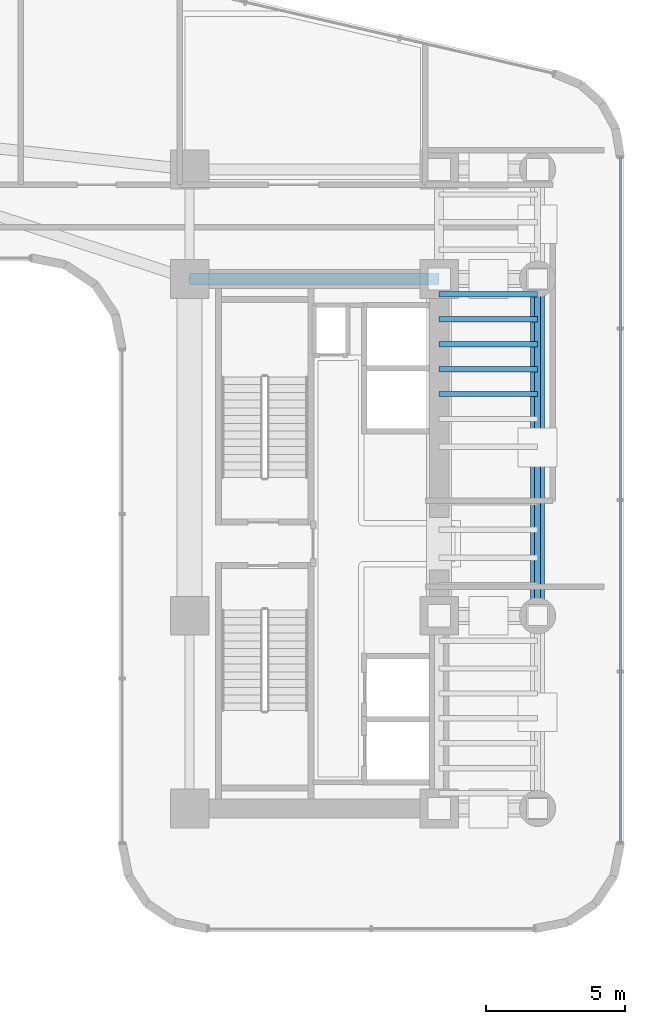
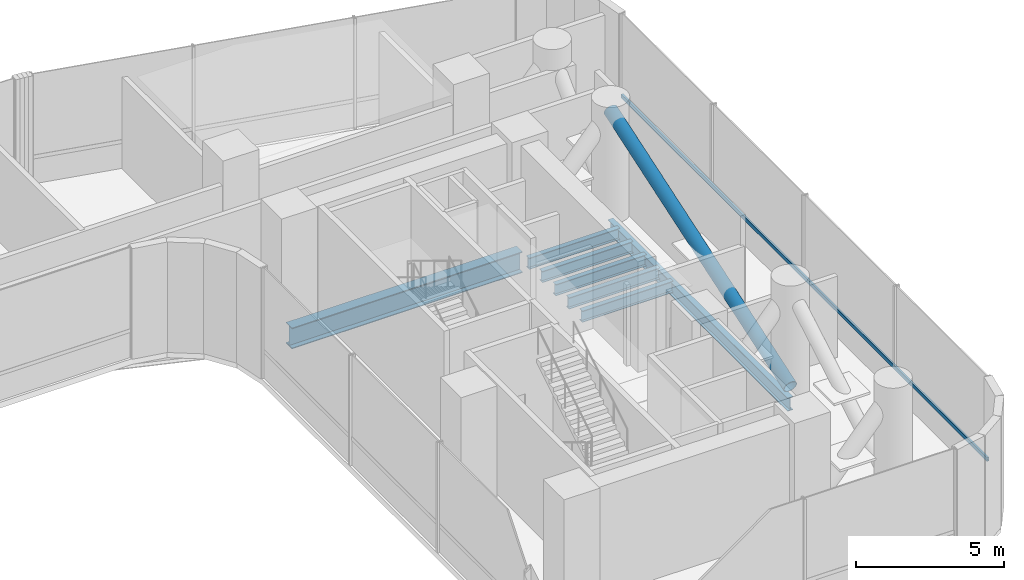
# One storey, part 20 of 39: 7 beams, 2 members, 1 element without a shape of its own.
"""IFC4 building model written with IfcOpenShell, lengths in metres."""

from ifc_helpers import new_model, si_unit, direction, frame, origin, origin_2d, place, context, subcontext, project, spatial, hollow_rectangle, hollow_circle, i_section, extrude, source, transform, mapped, material, material_profile, profile_set, type_object, element, aggregate, save


model = new_model("IFC4")

# Units and contexts
model_context = context("Model", 3, precision=1e-05, world=origin(), true_north=direction((0.0, 1.0)))
body_context = subcontext(model_context, "Body", "Model", "MODEL_VIEW")
ifc_project = project(units=[si_unit("LENGTHUNIT", "METRE"), si_unit("AREAUNIT", "SQUARE_METRE"), si_unit("VOLUMEUNIT", "CUBIC_METRE"), si_unit("PLANEANGLEUNIT", "RADIAN"), si_unit("MASSUNIT", "GRAM", prefix="KILO")], contexts=[model_context])

# Site, building, storey
site_placement = place(None, origin())
site = spatial("IfcSite", under=ifc_project, at=site_placement, CompositionType="ELEMENT")
building_placement = place(site_placement, origin())
building = spatial("IfcBuilding", under=site, at=building_placement, Name="Valdorenza Pilgrim Sanctuary Tower", CompositionType="ELEMENT")
storey_placement = place(building_placement, frame((0.0, 0.0, 96.300048828125)))
storey = spatial("IfcBuildingStorey", under=building, at=storey_placement, Name="L24", CompositionType="ELEMENT", Elevation=96.300048828125)

# Beams
ifc_material_1 = material(Name="Steel ASTM A992 Grade 50", Category="steel")
ifc_material_profile_1 = material_profile(ifc_material_1, i_section(OverallWidth=0.214111328125, OverallDepth=0.549072265625, WebThickness=0.0146484375, FlangeThickness=0.023681640625, at=origin_2d()), Name="W21X93")
ifc_profile_set_1 = profile_set([ifc_material_profile_1], Name="Steel ASTM A992 Grade 50")
beam_type_1 = type_object("IfcBeamType", Name="STR-BM-SPN-W21A", PredefinedType="SPANDREL", material=ifc_profile_set_1)
shared_shape_1 = source(origin(), body_context, "Body", "SweptSolid", [
    extrude(i_section(OverallWidth=0.214111328125, OverallDepth=0.549072265625, WebThickness=0.0146484375, FlangeThickness=0.023681640625, at=origin_2d()), origin(), (0.0, 0.0, 1.0), 12.150146484375),
])
beam_1_placement = place(storey_placement, frame((28.39990234375, -2.60009765625, -0.5146484375), z_axis=(0.0, 1.0, 0.0), x_axis=(-1.0, 0.0, 0.0)))
element("IfcBeam", 1, at=beam_1_placement, inside=storey, type_object=beam_type_1, Name="L24 Spandrel Beam WB-E-M0N1", PredefinedType="SPANDREL", context=body_context, shape_type="MappedRepresentation", body=[
    mapped(shared_shape_1, transform((0.0, 0.0, 0.0), x_axis=(1.0, 0.0, 0.0), y_axis=(0.0, 1.0, 0.0), z_axis=(0.0, 0.0, 1.0), scale=1.0)),
])
ifc_material_profile_2 = material_profile(ifc_material_1, i_section(OverallWidth=0.193115234375, OverallDepth=0.466064453125, WebThickness=0.011474609375, FlangeThickness=0.01904296875, at=origin_2d()), Name="W18X65")
ifc_profile_set_2 = profile_set([ifc_material_profile_2], Name="Steel ASTM A992 Grade 50")
beam_type_2 = type_object("IfcBeamType", Name="STR-BM-JST-W18A", PredefinedType="JOIST", material=ifc_profile_set_2)
shared_shape_2 = source(origin(), body_context, "Body", "SweptSolid", [
    extrude(i_section(OverallWidth=0.193115234375, OverallDepth=0.466064453125, WebThickness=0.011474609375, FlangeThickness=0.01904296875, at=origin_2d()), origin(), (0.0, 0.0, 1.0), 3.5498046875),
])
for number, where, z_axis, x_axis, name in (
    (2, (24.85009765625, 5.39990234375, -0.47314453125), (1.0, 0.0, 0.0), (0.0, 1.0, 0.0), "L24 Composite Floor Joist JST-WB-14"),
    (3, (24.85009765625, 6.300048828125, -0.47314453125), (1.0, 0.0, 0.0), (0.0, 1.0, 0.0), "L24 Composite Floor Joist JST-WB-15"),
    (4, (24.85009765625, 7.199951171875, -0.47314453125), (1.0, 0.0, 0.0), (0.0, 1.0, 0.0), "L24 Composite Floor Joist JST-WB-16"),
    (5, (24.85009765625, 8.10009765625, -0.47314453125), (1.0, 0.0, 0.0), (0.0, 1.0, 0.0), "L24 Composite Floor Joist JST-WB-17"),
    (6, (24.85009765625, 9.0, -0.47314453125), (1.0, 0.0, 0.0), (0.0, 1.0, 0.0), "L24 Composite Floor Joist JST-WB-18"),
):
    element("IfcBeam", number, at=place(storey_placement, frame(where, z_axis=z_axis, x_axis=x_axis)), inside=storey, type_object=beam_type_2, Name=name, PredefinedType="JOIST", context=body_context, shape_type="MappedRepresentation", body=[
        mapped(shared_shape_2, transform((0.0, 0.0, 0.0), x_axis=(1.0, 0.0, 0.0), y_axis=(0.0, 1.0, 0.0), z_axis=(0.0, 0.0, 1.0), scale=1.0)),
    ])
ifc_material_profile_3 = material_profile(ifc_material_1, i_section(OverallWidth=0.39990234375, OverallDepth=0.862060546875, WebThickness=0.019775390625, FlangeThickness=0.032470703125, at=origin_2d()), Name="W33X221")
ifc_profile_set_3 = profile_set([ifc_material_profile_3], Name="Steel ASTM A992 Grade 50")
beam_type_3 = type_object("IfcBeamType", Name="STR-BM-GRD-W33", PredefinedType="BEAM", material=ifc_profile_set_3)
shared_shape_3 = source(origin(), body_context, "Body", "SweptSolid", [
    extrude(i_section(OverallWidth=0.39990234375, OverallDepth=0.862060546875, WebThickness=0.019775390625, FlangeThickness=0.032470703125, at=origin_2d()), origin(), (0.0, 0.0, 1.0), 9.0),
])
beam_2_placement = place(storey_placement, frame((15.85009765625, 9.550048828125, -0.671142578125), z_axis=(1.0, 0.0, 0.0), x_axis=(0.0, 1.0, 0.0)))
element("IfcBeam", 7, at=beam_2_placement, inside=storey, type_object=beam_type_3, Name="L24 Floor Girder CB-XC-N1", PredefinedType="BEAM", context=body_context, shape_type="MappedRepresentation", body=[
    mapped(shared_shape_3, transform((0.0, 0.0, 0.0), x_axis=(1.0, 0.0, 0.0), y_axis=(0.0, 1.0, 0.0), z_axis=(0.0, 0.0, 1.0), scale=1.0)),
])

# Member
ifc_material_2 = material(Name="Steel S355J2", Category="steel")
ifc_material_profile_4 = material_profile(ifc_material_2, hollow_circle(Radius=0.25390625, WallThickness=0.02001953125, at=origin_2d()), Name="CHS 508x20")
ifc_profile_set_4 = profile_set([ifc_material_profile_4], Name="Steel S355J2")
member_type_1 = type_object("IfcMemberType", Name="STR-MB-CHS-508", PredefinedType="STRUT", material=ifc_profile_set_4)
shared_shape_4 = source(origin(), body_context, "Body", "SweptSolid", [
    extrude(hollow_circle(Radius=0.25390625, WallThickness=0.02001953125, at=origin_2d()), origin(), (0.0, 0.0, 1.0), 12.807373046875),
])
member_1_placement = place(storey_placement, frame((28.39990234375, -2.60009765625, 0.199951171875), z_axis=(0.0, 0.948683298051, 0.316227766017), x_axis=(-1.0, 0.0, 0.0)))
element("IfcMember", 8, at=member_1_placement, inside=storey, type_object=member_type_1, Name="L24 East Wing Belt Truss Strut E2", PredefinedType="STRUT", context=body_context, shape_type="MappedRepresentation", body=[
    mapped(shared_shape_4, transform((0.0, 0.0, 0.0), x_axis=(1.0, 0.0, 0.0), y_axis=(0.0, 1.0, 0.0), z_axis=(0.0, 0.0, 1.0), scale=1.0)),
])

# Curtain wall, member
ifc_material_3 = material(Name="Curtain-wall IGU glazing", Category="glass")
curtain_wall_type = type_object("IfcCurtainWallType", Name="CW-SYS-03", PredefinedType="NOTDEFINED", material=ifc_material_3)
curtain_wall_placement = place(storey_placement, origin())
curtain_wall = element("IfcCurtainWall", 9, at=curtain_wall_placement, inside=storey, type_object=curtain_wall_type, Name="L24 Curtain Wall CW-L24-1-21", PredefinedType="NOTDEFINED")
ifc_material_4 = material(Name="Anodised aluminium AW-6060", Category="aluminium")
ifc_material_profile_5 = material_profile(ifc_material_4, hollow_rectangle(XDim=0.074951171875, YDim=0.159912109375, WallThickness=0.00390625, at=origin_2d()), Name="ALU-T 160x75x4")
ifc_profile_set_5 = profile_set([ifc_material_profile_5], Name="Anodised aluminium AW-6060")
member_type_2 = type_object("IfcMemberType", Name="CW-TRN-03", PredefinedType="USERDEFINED", material=ifc_profile_set_5)
shared_shape_5 = source(origin(), body_context, "Body", "SweptSolid", [
    extrude(hollow_rectangle(XDim=0.074951171875, YDim=0.159912109375, WallThickness=0.00390625, at=origin_2d()), origin(), (0.0, 0.0, 1.0), 24.734375),
])
member_2_placement = place(storey_placement, frame((31.389892578125, 13.945068359375, 1.119873046875), z_axis=(0.0, -1.0, 0.0), x_axis=(1.0, 0.0, 0.0)))
member_2 = element("IfcMember", 10, at=member_2_placement, type_object=member_type_2, Name="CW-L24-1-21 Transom 1", ObjectType="TRANSOM", PredefinedType="USERDEFINED", context=body_context, shape_type="MappedRepresentation", body=[
    mapped(shared_shape_5, transform((0.0, 0.0, 0.0), x_axis=(1.0, 0.0, 0.0), y_axis=(0.0, 1.0, 0.0), z_axis=(0.0, 0.0, 1.0), scale=1.0)),
])
aggregate(curtain_wall, [member_2])

save(model, "model.ifc")
